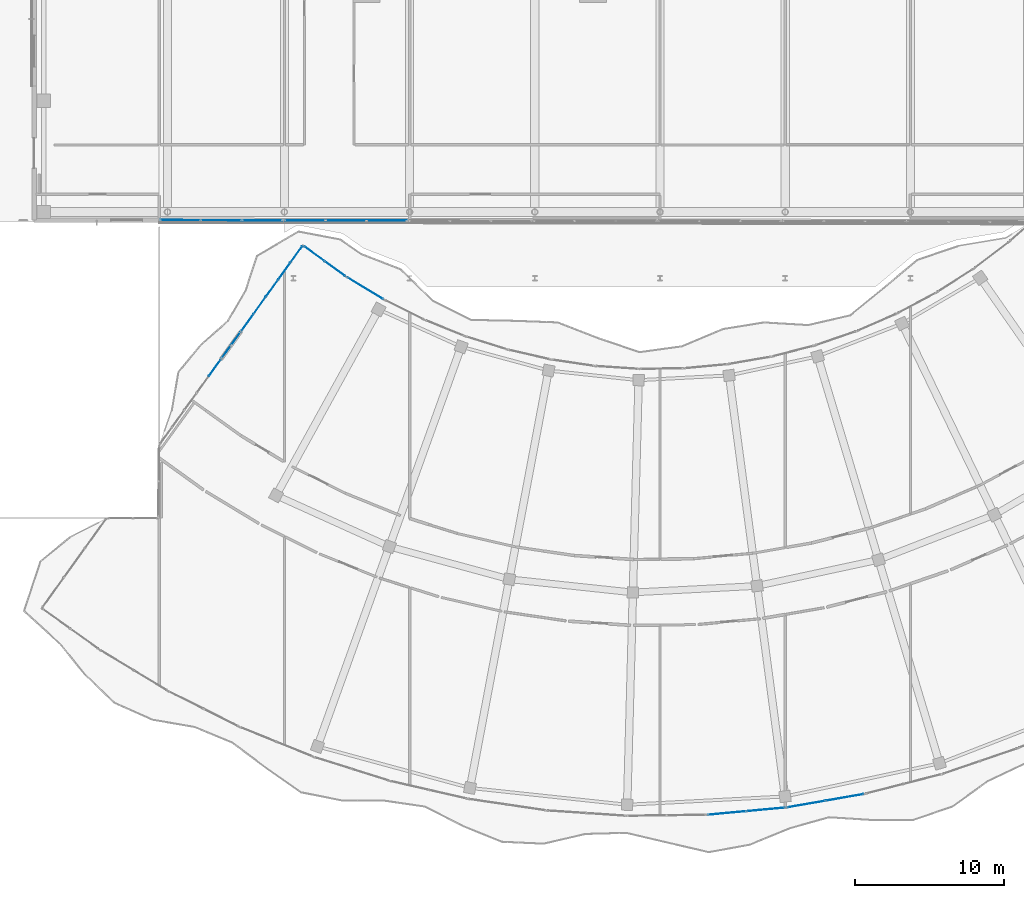
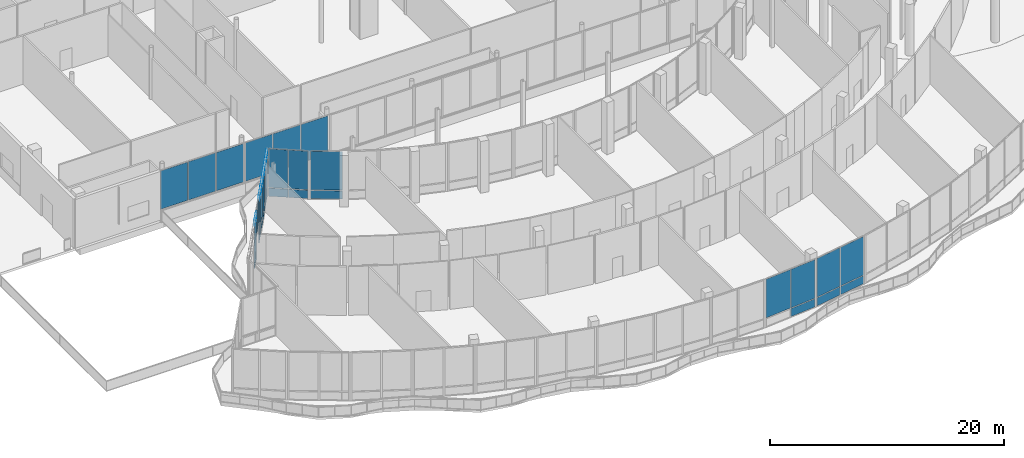
# One storey, part 120 of 158: 39 plates, 9 elements without a shape of their own.
"""IFC4 building model written with IfcOpenShell, lengths in metres."""

from ifc_helpers import new_model, si_unit, direction, frame, origin, origin_2d, place, context, subcontext, project, spatial, rectangle, extrude, material, layer, layer_set, type_object, element, aggregate, save


model = new_model("IFC4")

# Units and contexts
model_context = context("Model", 3, precision=1e-05, world=origin(), true_north=direction((0.0, 1.0)))
body_context = subcontext(model_context, "Body", "Model", "MODEL_VIEW")
ifc_project = project(units=[si_unit("LENGTHUNIT", "METRE"), si_unit("AREAUNIT", "SQUARE_METRE"), si_unit("VOLUMEUNIT", "CUBIC_METRE"), si_unit("PLANEANGLEUNIT", "RADIAN"), si_unit("MASSUNIT", "GRAM", prefix="KILO")], contexts=[model_context])

# Site, building, storey
site_placement = place(None, origin())
site = spatial("IfcSite", under=ifc_project, at=site_placement, CompositionType="ELEMENT")
building_placement = place(site_placement, origin())
building = spatial("IfcBuilding", under=site, at=building_placement, Name="Selatvlak General Hospital", CompositionType="ELEMENT")
storey_placement = place(building_placement, origin())
storey = spatial("IfcBuildingStorey", under=building, at=storey_placement, Name="L00", CompositionType="ELEMENT", Elevation=0.0)

# Curtain wall, plates
ifc_material = material(Name="Solar-control Low-E double glazing", Category="glass")
curtain_wall_type_1 = type_object("IfcCurtainWallType", Name="CW-CW-02", PredefinedType="USERDEFINED", material=ifc_material)
curtain_wall_1_placement = place(storey_placement, origin())
curtain_wall_1 = element("IfcCurtainWall", 1, at=curtain_wall_1_placement, inside=storey, type_object=curtain_wall_type_1, Name="Glazed facade curtain wall CW-L00-0052", ObjectType="UNITISED CURTAIN WALL", PredefinedType="USERDEFINED")
ifc_layer = layer(ifc_material, 0.028076171875, Name="Solar-control Low-E double glazing", Category="glass")
ifc_layer_set = layer_set([ifc_layer], Name="Solar-control Low-E double glazing")
plate_type = type_object("IfcPlateType", Name="CWP-01", PredefinedType="CURTAIN_PANEL", material=ifc_layer_set)
plate_1_placement = place(storey_placement, frame((68.7939453125, 13.265380859375, 0.06494140625), z_axis=(0.0, 0.0, 1.0), x_axis=(-0.985299104881, -0.170838151242, 0.0)))
plate_1 = element("IfcPlate", 2, at=plate_1_placement, type_object=plate_type, Name="CW-02 panel 1.1", PredefinedType="CURTAIN_PANEL", context=body_context, shape_type="SweptSolid", body=[
    extrude(rectangle(XDim=2.54541015625, YDim=0.028076171875, at=origin_2d()), origin(), (0.0, 0.0, 1.0), 0.8525390625),
])
plate_2_placement = place(storey_placement, frame((68.7939453125, 13.265380859375, 0.982421875), z_axis=(0.0, 0.0, 1.0), x_axis=(-0.985299104881, -0.170838151242, 0.0)))
plate_2 = element("IfcPlate", 3, at=plate_2_placement, type_object=plate_type, Name="CW-02 panel 1.2", PredefinedType="CURTAIN_PANEL", context=body_context, shape_type="SweptSolid", body=[
    extrude(rectangle(XDim=2.54541015625, YDim=0.028076171875, at=origin_2d()), origin(), (0.0, 0.0, 1.0), 4.032470703125),
])
plate_3_placement = place(storey_placement, frame((66.221923828125, 12.819580078125, 0.06494140625), z_axis=(0.0, 0.0, 1.0), x_axis=(-0.985299104881, -0.170838151242, 0.0)))
plate_3 = element("IfcPlate", 4, at=plate_3_placement, type_object=plate_type, Name="CW-02 panel 2.1", PredefinedType="CURTAIN_PANEL", context=body_context, shape_type="SweptSolid", body=[
    extrude(rectangle(XDim=2.54541015625, YDim=0.028076171875, at=origin_2d()), origin(), (0.0, 0.0, 1.0), 0.8525390625),
])
plate_4_placement = place(storey_placement, frame((66.221923828125, 12.819580078125, 0.982421875), z_axis=(0.0, 0.0, 1.0), x_axis=(-0.985299104881, -0.170838151242, 0.0)))
plate_4 = element("IfcPlate", 5, at=plate_4_placement, type_object=plate_type, Name="CW-02 panel 2.2", PredefinedType="CURTAIN_PANEL", context=body_context, shape_type="SweptSolid", body=[
    extrude(rectangle(XDim=2.54541015625, YDim=0.028076171875, at=origin_2d()), origin(), (0.0, 0.0, 1.0), 4.032470703125),
])
aggregate(curtain_wall_1, [plate_1, plate_2, plate_3, plate_4])

curtain_wall_type_2 = type_object("IfcCurtainWallType", Name="CW-CW-01", PredefinedType="USERDEFINED", material=ifc_material)
curtain_wall_2_placement = place(storey_placement, origin())
curtain_wall_2 = element("IfcCurtainWall", 6, at=curtain_wall_2_placement, inside=storey, type_object=curtain_wall_type_2, Name="Glazed facade curtain wall CW-L00-0053", ObjectType="UNITISED CURTAIN WALL", PredefinedType="USERDEFINED")
plate_5_placement = place(storey_placement, frame((63.491455078125, 12.45849609375, 0.06494140625), z_axis=(0.0, 0.0, 1.0), x_axis=(-0.995731988381, -0.092291967773, 0.0)))
plate_5 = element("IfcPlate", 7, at=plate_5_placement, type_object=plate_type, Name="CW-01 panel 1.1", PredefinedType="CURTAIN_PANEL", context=body_context, shape_type="SweptSolid", body=[
    extrude(rectangle(XDim=2.54638671875, YDim=0.028076171875, at=origin_2d()), origin(), (0.0, 0.0, 1.0), 0.8525390625),
])
plate_6_placement = place(storey_placement, frame((63.491455078125, 12.45849609375, 0.982421875), z_axis=(0.0, 0.0, 1.0), x_axis=(-0.995731988381, -0.092291967773, 0.0)))
plate_6 = element("IfcPlate", 8, at=plate_6_placement, type_object=plate_type, Name="CW-01 panel 1.2", PredefinedType="CURTAIN_PANEL", context=body_context, shape_type="SweptSolid", body=[
    extrude(rectangle(XDim=2.54638671875, YDim=0.028076171875, at=origin_2d()), origin(), (0.0, 0.0, 1.0), 4.032470703125),
])
plate_7_placement = place(storey_placement, frame((60.891357421875, 12.217529296875, 0.982421875), z_axis=(0.0, 0.0, 1.0), x_axis=(-0.995731988381, -0.092291967773, 0.0)))
plate_7 = element("IfcPlate", 9, at=plate_7_placement, type_object=plate_type, Name="CW-01 panel 2.2", PredefinedType="CURTAIN_PANEL", context=body_context, shape_type="SweptSolid", body=[
    extrude(rectangle(XDim=2.54638671875, YDim=0.028076171875, at=origin_2d()), origin(), (0.0, 0.0, 1.0), 4.032470703125),
])
aggregate(curtain_wall_2, [plate_5, plate_6, plate_7])

curtain_wall_3_placement = place(storey_placement, origin())
curtain_wall_3 = element("IfcCurtainWall", 10, at=curtain_wall_3_placement, inside=storey, type_object=curtain_wall_type_1, Name="Glazed facade curtain wall CW-L00-0066", ObjectType="UNITISED CURTAIN WALL", PredefinedType="USERDEFINED")
plate_8_placement = place(storey_placement, frame((27.29638671875, 43.158203125, 2.385009765625), z_axis=(0.0, 0.0, 1.0), x_axis=(0.583236596029, 0.812302328602, 0.0)))
plate_8 = element("IfcPlate", 11, at=plate_8_placement, type_object=plate_type, Name="CW-02 panel 1.1", PredefinedType="CURTAIN_PANEL", context=body_context, shape_type="SweptSolid", body=[
    extrude(rectangle(XDim=1.03759765625, YDim=0.028076171875, at=origin_2d()), origin(), (0.0, 0.0, 1.0), 2.6298828125),
])
plate_9_placement = place(storey_placement, frame((27.939453125, 44.0537109375, 2.385009765625), z_axis=(0.0, 0.0, 1.0), x_axis=(0.583236596029, 0.812302328602, 0.0)))
plate_9 = element("IfcPlate", 12, at=plate_9_placement, type_object=plate_type, Name="CW-02 panel 2.1", PredefinedType="CURTAIN_PANEL", context=body_context, shape_type="SweptSolid", body=[
    extrude(rectangle(XDim=1.03759765625, YDim=0.028076171875, at=origin_2d()), origin(), (0.0, 0.0, 1.0), 2.6298828125),
])
aggregate(curtain_wall_3, [plate_8, plate_9])

curtain_wall_4_placement = place(storey_placement, origin())
curtain_wall_4 = element("IfcCurtainWall", 13, at=curtain_wall_4_placement, inside=storey, type_object=curtain_wall_type_2, Name="Glazed facade curtain wall CW-L00-0067", ObjectType="UNITISED CURTAIN WALL", PredefinedType="USERDEFINED")
plate_10_placement = place(storey_placement, frame((26.5185546875, 42.076904296875, 0.06494140625), z_axis=(0.0, 0.0, 1.0), x_axis=(0.583929474196, 0.81180439095, 0.0)))
plate_10 = element("IfcPlate", 14, at=plate_10_placement, type_object=plate_type, Name="CW-01 panel 5.1", PredefinedType="CURTAIN_PANEL", context=body_context, shape_type="SweptSolid", body=[
    extrude(rectangle(XDim=1.306884765625, YDim=0.028076171875, at=origin_2d()), origin(), (0.0, 0.0, 1.0), 0.802490234375),
])
plate_11_placement = place(storey_placement, frame((26.5185546875, 42.076904296875, 0.9326171875), z_axis=(0.0, 0.0, 1.0), x_axis=(0.583929474196, 0.81180439095, 0.0)))
plate_11 = element("IfcPlate", 15, at=plate_11_placement, type_object=plate_type, Name="CW-01 panel 5.2", PredefinedType="CURTAIN_PANEL", context=body_context, shape_type="SweptSolid", body=[
    extrude(rectangle(XDim=1.306884765625, YDim=0.028076171875, at=origin_2d()), origin(), (0.0, 0.0, 1.0), 3.465087890625),
])
plate_12_placement = place(storey_placement, frame((26.5185546875, 42.076904296875, 4.46240234375), z_axis=(0.0, 0.0, 1.0), x_axis=(0.583929474196, 0.81180439095, 0.0)))
plate_12 = element("IfcPlate", 16, at=plate_12_placement, type_object=plate_type, Name="CW-01 panel 5.3", PredefinedType="CURTAIN_PANEL", context=body_context, shape_type="SweptSolid", body=[
    extrude(rectangle(XDim=1.306884765625, YDim=0.028076171875, at=origin_2d()), origin(), (0.0, 0.0, 1.0), 0.552490234375),
])
aggregate(curtain_wall_4, [plate_10, plate_11, plate_12])

curtain_wall_5_placement = place(storey_placement, origin())
curtain_wall_5 = element("IfcCurtainWall", 17, at=curtain_wall_5_placement, inside=storey, type_object=curtain_wall_type_2, Name="Glazed facade curtain wall CW-L00-0068", ObjectType="UNITISED CURTAIN WALL", PredefinedType="USERDEFINED")
plate_13_placement = place(storey_placement, frame((28.720458984375, 45.139404296875, 0.06494140625), z_axis=(0.0, 0.0, 1.0), x_axis=(0.583883694145, 0.811837318502, 0.0)))
plate_13 = element("IfcPlate", 18, at=plate_13_placement, type_object=plate_type, Name="CW-01 panel 1.1", PredefinedType="CURTAIN_PANEL", context=body_context, shape_type="SweptSolid", body=[
    extrude(rectangle(XDim=1.31689453125, YDim=0.028076171875, at=origin_2d()), origin(), (0.0, 0.0, 1.0), 0.802490234375),
])
plate_14_placement = place(storey_placement, frame((28.720458984375, 45.139404296875, 0.9326171875), z_axis=(0.0, 0.0, 1.0), x_axis=(0.583883694145, 0.811837318502, 0.0)))
plate_14 = element("IfcPlate", 19, at=plate_14_placement, type_object=plate_type, Name="CW-01 panel 1.2", PredefinedType="CURTAIN_PANEL", context=body_context, shape_type="SweptSolid", body=[
    extrude(rectangle(XDim=1.31689453125, YDim=0.028076171875, at=origin_2d()), origin(), (0.0, 0.0, 1.0), 3.465087890625),
])
plate_15_placement = place(storey_placement, frame((28.720458984375, 45.139404296875, 4.46240234375), z_axis=(0.0, 0.0, 1.0), x_axis=(0.583883694145, 0.811837318502, 0.0)))
plate_15 = element("IfcPlate", 20, at=plate_15_placement, type_object=plate_type, Name="CW-01 panel 1.3", PredefinedType="CURTAIN_PANEL", context=body_context, shape_type="SweptSolid", body=[
    extrude(rectangle(XDim=1.31689453125, YDim=0.028076171875, at=origin_2d()), origin(), (0.0, 0.0, 1.0), 0.552490234375),
])
plate_16_placement = place(storey_placement, frame((29.53662109375, 46.2744140625, 0.06494140625), z_axis=(0.0, 0.0, 1.0), x_axis=(0.583883694145, 0.811837318502, 0.0)))
plate_16 = element("IfcPlate", 21, at=plate_16_placement, type_object=plate_type, Name="CW-01 panel 2.1", PredefinedType="CURTAIN_PANEL", context=body_context, shape_type="SweptSolid", body=[
    extrude(rectangle(XDim=1.349365234375, YDim=0.028076171875, at=origin_2d()), origin(), (0.0, 0.0, 1.0), 0.802490234375),
])
plate_17_placement = place(storey_placement, frame((29.53662109375, 46.2744140625, 0.9326171875), z_axis=(0.0, 0.0, 1.0), x_axis=(0.583883694145, 0.811837318502, 0.0)))
plate_17 = element("IfcPlate", 22, at=plate_17_placement, type_object=plate_type, Name="CW-01 panel 2.2", PredefinedType="CURTAIN_PANEL", context=body_context, shape_type="SweptSolid", body=[
    extrude(rectangle(XDim=1.349365234375, YDim=0.028076171875, at=origin_2d()), origin(), (0.0, 0.0, 1.0), 3.465087890625),
])
plate_18_placement = place(storey_placement, frame((29.53662109375, 46.2744140625, 4.46240234375), z_axis=(0.0, 0.0, 1.0), x_axis=(0.583883694145, 0.811837318502, 0.0)))
plate_18 = element("IfcPlate", 23, at=plate_18_placement, type_object=plate_type, Name="CW-01 panel 2.3", PredefinedType="CURTAIN_PANEL", context=body_context, shape_type="SweptSolid", body=[
    extrude(rectangle(XDim=1.349365234375, YDim=0.028076171875, at=origin_2d()), origin(), (0.0, 0.0, 1.0), 0.552490234375),
])
plate_19_placement = place(storey_placement, frame((30.362548828125, 47.422607421875, 0.06494140625), z_axis=(0.0, 0.0, 1.0), x_axis=(0.583883694145, 0.811837318502, 0.0)))
plate_19 = element("IfcPlate", 24, at=plate_19_placement, type_object=plate_type, Name="CW-01 panel 3.1", PredefinedType="CURTAIN_PANEL", context=body_context, shape_type="SweptSolid", body=[
    extrude(rectangle(XDim=1.349365234375, YDim=0.028076171875, at=origin_2d()), origin(), (0.0, 0.0, 1.0), 0.802490234375),
])
plate_20_placement = place(storey_placement, frame((30.362548828125, 47.422607421875, 0.9326171875), z_axis=(0.0, 0.0, 1.0), x_axis=(0.583883694145, 0.811837318502, 0.0)))
plate_20 = element("IfcPlate", 25, at=plate_20_placement, type_object=plate_type, Name="CW-01 panel 3.2", PredefinedType="CURTAIN_PANEL", context=body_context, shape_type="SweptSolid", body=[
    extrude(rectangle(XDim=1.349365234375, YDim=0.028076171875, at=origin_2d()), origin(), (0.0, 0.0, 1.0), 3.465087890625),
])
plate_21_placement = place(storey_placement, frame((30.362548828125, 47.422607421875, 4.46240234375), z_axis=(0.0, 0.0, 1.0), x_axis=(0.583883694145, 0.811837318502, 0.0)))
plate_21 = element("IfcPlate", 26, at=plate_21_placement, type_object=plate_type, Name="CW-01 panel 3.3", PredefinedType="CURTAIN_PANEL", context=body_context, shape_type="SweptSolid", body=[
    extrude(rectangle(XDim=1.349365234375, YDim=0.028076171875, at=origin_2d()), origin(), (0.0, 0.0, 1.0), 0.552490234375),
])
plate_22_placement = place(storey_placement, frame((31.188232421875, 48.57080078125, 0.06494140625), z_axis=(0.0, 0.0, 1.0), x_axis=(0.583883694145, 0.811837318502, 0.0)))
plate_22 = element("IfcPlate", 27, at=plate_22_placement, type_object=plate_type, Name="CW-01 panel 4.1", PredefinedType="CURTAIN_PANEL", context=body_context, shape_type="SweptSolid", body=[
    extrude(rectangle(XDim=1.349365234375, YDim=0.028076171875, at=origin_2d()), origin(), (0.0, 0.0, 1.0), 0.802490234375),
])
plate_23_placement = place(storey_placement, frame((31.188232421875, 48.57080078125, 0.9326171875), z_axis=(0.0, 0.0, 1.0), x_axis=(0.583883694145, 0.811837318502, 0.0)))
plate_23 = element("IfcPlate", 28, at=plate_23_placement, type_object=plate_type, Name="CW-01 panel 4.2", PredefinedType="CURTAIN_PANEL", context=body_context, shape_type="SweptSolid", body=[
    extrude(rectangle(XDim=1.349365234375, YDim=0.028076171875, at=origin_2d()), origin(), (0.0, 0.0, 1.0), 3.465087890625),
])
plate_24_placement = place(storey_placement, frame((31.188232421875, 48.57080078125, 4.46240234375), z_axis=(0.0, 0.0, 1.0), x_axis=(0.583883694145, 0.811837318502, 0.0)))
plate_24 = element("IfcPlate", 29, at=plate_24_placement, type_object=plate_type, Name="CW-01 panel 4.3", PredefinedType="CURTAIN_PANEL", context=body_context, shape_type="SweptSolid", body=[
    extrude(rectangle(XDim=1.349365234375, YDim=0.028076171875, at=origin_2d()), origin(), (0.0, 0.0, 1.0), 0.552490234375),
])
plate_25_placement = place(storey_placement, frame((32.004638671875, 49.705810546875, 0.06494140625), z_axis=(0.0, 0.0, 1.0), x_axis=(0.583883694145, 0.811837318502, 0.0)))
plate_25 = element("IfcPlate", 30, at=plate_25_placement, type_object=plate_type, Name="CW-01 panel 5.1", PredefinedType="CURTAIN_PANEL", context=body_context, shape_type="SweptSolid", body=[
    extrude(rectangle(XDim=1.31689453125, YDim=0.028076171875, at=origin_2d()), origin(), (0.0, 0.0, 1.0), 0.802490234375),
])
plate_26_placement = place(storey_placement, frame((32.004638671875, 49.705810546875, 0.9326171875), z_axis=(0.0, 0.0, 1.0), x_axis=(0.583883694145, 0.811837318502, 0.0)))
plate_26 = element("IfcPlate", 31, at=plate_26_placement, type_object=plate_type, Name="CW-01 panel 5.2", PredefinedType="CURTAIN_PANEL", context=body_context, shape_type="SweptSolid", body=[
    extrude(rectangle(XDim=1.31689453125, YDim=0.028076171875, at=origin_2d()), origin(), (0.0, 0.0, 1.0), 3.465087890625),
])
plate_27_placement = place(storey_placement, frame((32.004638671875, 49.705810546875, 4.46240234375), z_axis=(0.0, 0.0, 1.0), x_axis=(0.583883694145, 0.811837318502, 0.0)))
plate_27 = element("IfcPlate", 32, at=plate_27_placement, type_object=plate_type, Name="CW-01 panel 5.3", PredefinedType="CURTAIN_PANEL", context=body_context, shape_type="SweptSolid", body=[
    extrude(rectangle(XDim=1.31689453125, YDim=0.028076171875, at=origin_2d()), origin(), (0.0, 0.0, 1.0), 0.552490234375),
])
aggregate(curtain_wall_5, [plate_13, plate_14, plate_15, plate_16, plate_17, plate_18, plate_19, plate_20, plate_21, plate_22, plate_23, plate_24, plate_25, plate_26, plate_27])

curtain_wall_6_placement = place(storey_placement, origin())
curtain_wall_6 = element("IfcCurtainWall", 33, at=curtain_wall_6_placement, inside=storey, type_object=curtain_wall_type_2, Name="Glazed facade curtain wall CW-L00-0069", ObjectType="UNITISED CURTAIN WALL", PredefinedType="USERDEFINED")
plate_28_placement = place(storey_placement, frame((33.208984375, 49.7451171875, 0.06494140625), z_axis=(0.0, 0.0, 1.0), x_axis=(0.810082716622, -0.58631560804, 0.0)))
plate_28 = element("IfcPlate", 34, at=plate_28_placement, type_object=plate_type, Name="CW-01 panel 1.1", PredefinedType="CURTAIN_PANEL", context=body_context, shape_type="SweptSolid", body=[
    extrude(rectangle(XDim=1.64990234375, YDim=0.028076171875, at=origin_2d()), origin(), (0.0, 0.0, 1.0), 0.8525390625),
])
plate_29_placement = place(storey_placement, frame((33.208984375, 49.7451171875, 0.982421875), z_axis=(0.0, 0.0, 1.0), x_axis=(0.810082716622, -0.58631560804, 0.0)))
plate_29 = element("IfcPlate", 35, at=plate_29_placement, type_object=plate_type, Name="CW-01 panel 1.2", PredefinedType="CURTAIN_PANEL", context=body_context, shape_type="SweptSolid", body=[
    extrude(rectangle(XDim=1.64990234375, YDim=0.028076171875, at=origin_2d()), origin(), (0.0, 0.0, 1.0), 4.032470703125),
])
plate_30_placement = place(storey_placement, frame((34.59814453125, 48.73974609375, 0.06494140625), z_axis=(0.0, 0.0, 1.0), x_axis=(0.810082716622, -0.58631560804, 0.0)))
plate_30 = element("IfcPlate", 36, at=plate_30_placement, type_object=plate_type, Name="CW-01 panel 2.1", PredefinedType="CURTAIN_PANEL", context=body_context, shape_type="SweptSolid", body=[
    extrude(rectangle(XDim=1.64990234375, YDim=0.028076171875, at=origin_2d()), origin(), (0.0, 0.0, 1.0), 0.8525390625),
])
plate_31_placement = place(storey_placement, frame((34.59814453125, 48.73974609375, 0.982421875), z_axis=(0.0, 0.0, 1.0), x_axis=(0.810082716622, -0.58631560804, 0.0)))
plate_31 = element("IfcPlate", 37, at=plate_31_placement, type_object=plate_type, Name="CW-01 panel 2.2", PredefinedType="CURTAIN_PANEL", context=body_context, shape_type="SweptSolid", body=[
    extrude(rectangle(XDim=1.64990234375, YDim=0.028076171875, at=origin_2d()), origin(), (0.0, 0.0, 1.0), 4.032470703125),
])
aggregate(curtain_wall_6, [plate_28, plate_29, plate_30, plate_31])

curtain_wall_7_placement = place(storey_placement, origin())
curtain_wall_7 = element("IfcCurtainWall", 38, at=curtain_wall_7_placement, inside=storey, type_object=curtain_wall_type_1, Name="Glazed facade curtain wall CW-L00-0070", ObjectType="UNITISED CURTAIN WALL", PredefinedType="USERDEFINED")
plate_32_placement = place(storey_placement, frame((36.62744140625, 47.425048828125, 0.06494140625), z_axis=(0.0, 0.0, 1.0), x_axis=(0.85575329293, -0.517384094885, 0.0)))
plate_32 = element("IfcPlate", 39, at=plate_32_placement, type_object=plate_type, Name="CW-02 panel 1.1", PredefinedType="CURTAIN_PANEL", context=body_context, shape_type="SweptSolid", body=[
    extrude(rectangle(XDim=2.769287109375, YDim=0.028076171875, at=origin_2d()), origin(), (0.0, 0.0, 1.0), 0.8525390625),
])
plate_33_placement = place(storey_placement, frame((36.62744140625, 47.425048828125, 0.982421875), z_axis=(0.0, 0.0, 1.0), x_axis=(0.85575329293, -0.517384094885, 0.0)))
plate_33 = element("IfcPlate", 40, at=plate_33_placement, type_object=plate_type, Name="CW-02 panel 1.2", PredefinedType="CURTAIN_PANEL", context=body_context, shape_type="SweptSolid", body=[
    extrude(rectangle(XDim=2.769287109375, YDim=0.028076171875, at=origin_2d()), origin(), (0.0, 0.0, 1.0), 4.032470703125),
])
aggregate(curtain_wall_7, [plate_32, plate_33])

curtain_wall_8_placement = place(storey_placement, origin())
curtain_wall_8 = element("IfcCurtainWall", 41, at=curtain_wall_8_placement, inside=storey, type_object=curtain_wall_type_2, Name="Glazed facade curtain wall CW-L00-0092", ObjectType="UNITISED CURTAIN WALL", PredefinedType="USERDEFINED")
plate_34_placement = place(storey_placement, frame((38.071533203125, 51.972412109375, 1.0048828125), z_axis=(0.0, 0.0, 1.0), x_axis=(-0.99999835986, 0.001811153756, 0.0)))
plate_34 = element("IfcPlate", 42, at=plate_34_placement, type_object=plate_type, Name="CW-01 panel 1.1", PredefinedType="CURTAIN_PANEL", context=body_context, shape_type="SweptSolid", body=[
    extrude(rectangle(XDim=2.6630859375, YDim=0.028076171875, at=origin_2d()), origin(), (0.0, 0.0, 1.0), 4.010009765625),
])
plate_35_placement = place(storey_placement, frame((35.326904296875, 51.9775390625, 1.0048828125), z_axis=(0.0, 0.0, 1.0), x_axis=(-0.99999835986, 0.001811153756, 0.0)))
plate_35 = element("IfcPlate", 43, at=plate_35_placement, type_object=plate_type, Name="CW-01 panel 2.1", PredefinedType="CURTAIN_PANEL", context=body_context, shape_type="SweptSolid", body=[
    extrude(rectangle(XDim=2.695556640625, YDim=0.028076171875, at=origin_2d()), origin(), (0.0, 0.0, 1.0), 4.010009765625),
])
plate_36_placement = place(storey_placement, frame((32.58251953125, 51.982421875, 1.0048828125), z_axis=(0.0, 0.0, 1.0), x_axis=(-0.99999835986, 0.001811153756, 0.0)))
plate_36 = element("IfcPlate", 44, at=plate_36_placement, type_object=plate_type, Name="CW-01 panel 3.1", PredefinedType="CURTAIN_PANEL", context=body_context, shape_type="SweptSolid", body=[
    extrude(rectangle(XDim=2.6630859375, YDim=0.028076171875, at=origin_2d()), origin(), (0.0, 0.0, 1.0), 4.010009765625),
])
aggregate(curtain_wall_8, [plate_34, plate_35, plate_36])

curtain_wall_9_placement = place(storey_placement, origin())
curtain_wall_9 = element("IfcCurtainWall", 45, at=curtain_wall_9_placement, inside=storey, type_object=curtain_wall_type_1, Name="Glazed facade curtain wall CW-L00-0093", ObjectType="UNITISED CURTAIN WALL", PredefinedType="USERDEFINED")
plate_37_placement = place(storey_placement, frame((29.70947265625, 51.987548828125, 1.0048828125), z_axis=(0.0, 0.0, 1.0), x_axis=(-0.99999835986, 0.001811153756, 0.0)))
plate_37 = element("IfcPlate", 46, at=plate_37_placement, type_object=plate_type, Name="CW-02 panel 1.1", PredefinedType="CURTAIN_PANEL", context=body_context, shape_type="SweptSolid", body=[
    extrude(rectangle(XDim=2.6630859375, YDim=0.028076171875, at=origin_2d()), origin(), (0.0, 0.0, 1.0), 4.010009765625),
])
plate_38_placement = place(storey_placement, frame((26.965087890625, 51.992431640625, 1.0048828125), z_axis=(0.0, 0.0, 1.0), x_axis=(-0.99999835986, 0.001811153756, 0.0)))
plate_38 = element("IfcPlate", 47, at=plate_38_placement, type_object=plate_type, Name="CW-02 panel 2.1", PredefinedType="CURTAIN_PANEL", context=body_context, shape_type="SweptSolid", body=[
    extrude(rectangle(XDim=2.695556640625, YDim=0.028076171875, at=origin_2d()), origin(), (0.0, 0.0, 1.0), 4.010009765625),
])
plate_39_placement = place(storey_placement, frame((24.220703125, 51.99755859375, 1.0048828125), z_axis=(0.0, 0.0, 1.0), x_axis=(-0.99999835986, 0.001811153756, 0.0)))
plate_39 = element("IfcPlate", 48, at=plate_39_placement, type_object=plate_type, Name="CW-02 panel 3.1", PredefinedType="CURTAIN_PANEL", context=body_context, shape_type="SweptSolid", body=[
    extrude(rectangle(XDim=2.6630859375, YDim=0.028076171875, at=origin_2d()), origin(), (0.0, 0.0, 1.0), 4.010009765625),
])
aggregate(curtain_wall_9, [plate_37, plate_38, plate_39])

save(model, "model.ifc")
